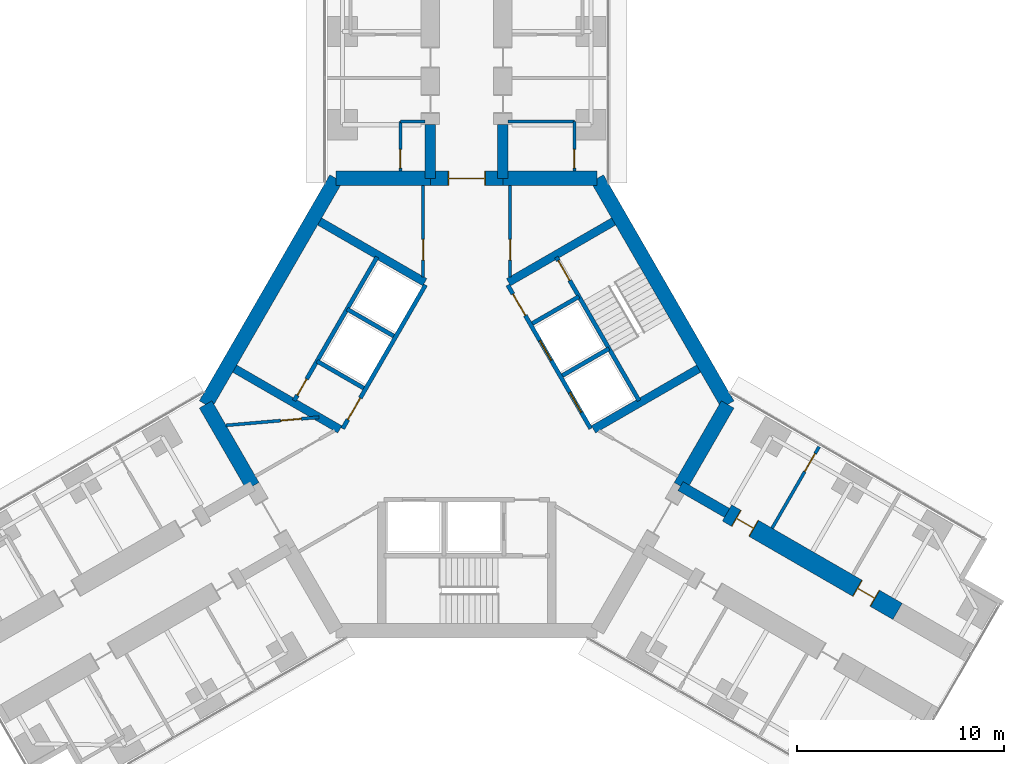
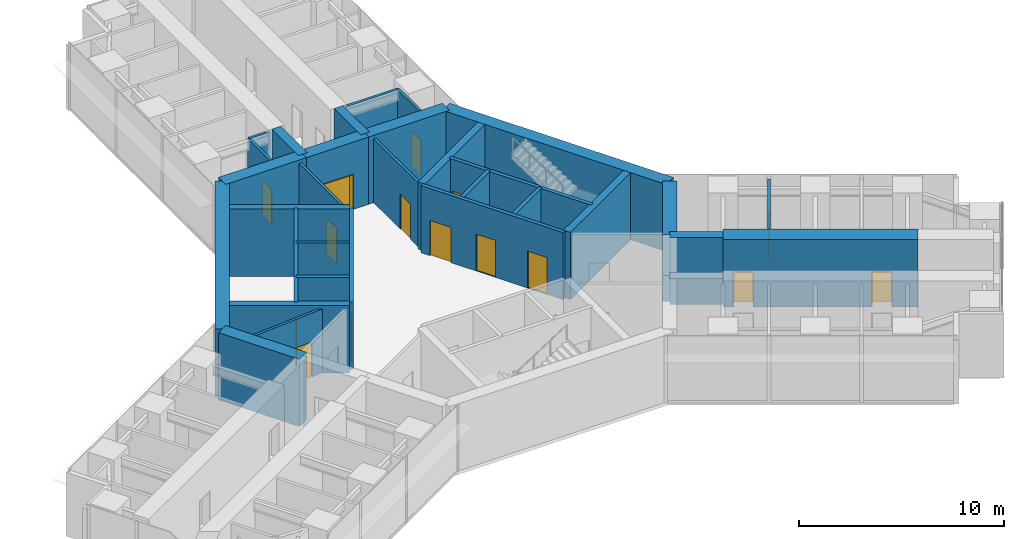
# One storey, part 21 of 24: 31 walls, 15 doors, 15 openings.
"""IFC4 building model written with IfcOpenShell, lengths in metres."""

import ifcopenshell
import ifcopenshell.guid

model = None  # the IFC model being written
_history = None  # IfcOwnerHistory: only IFC2X3 demands one
_inside = {}  # id of a spatial element -> (the spatial element, [elements in it])
_under = {}  # id of a project, library or spatial element -> (it, [spatial elements below it])
_declared = {}  # id of a project -> (the project, [libraries it declares])
_typed = {}  # id of a type object -> (the type object, [elements of that type])
_made_of = {}  # id of a material, layer set ... -> (it, [elements and type objects made of it])


def new_model(schema):
    """Start an empty IFC model of exactly this schema.

    Asked for "IFC4X3", IfcOpenShell would pick the latest addendum, in which some entities
    have other attributes; the version numbers below select the first issue.
    IFC2X3 requires an IfcOwnerHistory on every rooted entity: one is made here for all.
    """
    global model, _history
    if schema == "IFC4X3":
        model = ifcopenshell.file(schema_version=(4, 3, 0, 0))
    else:
        model = ifcopenshell.file(schema=schema)
    _inside.clear()
    _under.clear()
    _declared.clear()
    _typed.clear()
    _made_of.clear()
    _history = None
    if model.schema == "IFC2X3":
        org = make("IfcOrganization", Name="unknown")
        user = make(
            "IfcPersonAndOrganization",
            ThePerson=make("IfcPerson", FamilyName="unknown"),
            TheOrganization=org,
        )
        app = make(
            "IfcApplication",
            ApplicationDeveloper=org,
            Version="unknown",
            ApplicationFullName="unknown",
            ApplicationIdentifier="unknown",
        )
        _history = make(
            "IfcOwnerHistory",
            OwningUser=user,
            OwningApplication=app,
            ChangeAction="ADDED",
            CreationDate=0,
        )
    return model


def make(cls, **values):
    """One entity of the class cls with the attributes given. An attribute that is None is left unset."""
    return model.create_entity(
        cls, **{name: value for name, value in values.items() if value is not None}
    )


def rooted(cls, **values):
    """An entity with a GlobalId (a new one), such as an element, a storey or a relation."""
    return make(cls, GlobalId=ifcopenshell.guid.new(), OwnerHistory=_history, **values)


def si_unit(unit_type, name, prefix=None):
    """IfcSIUnit, for example si_unit("LENGTHUNIT", "METRE", prefix="MILLI")."""
    return make("IfcSIUnit", UnitType=unit_type, Prefix=prefix, Name=name)


def assignment(units):
    """IfcUnitAssignment: the units of a project."""
    return None if units is None else make("IfcUnitAssignment", Units=units)


def point(xyz):
    """IfcCartesianPoint."""
    return None if xyz is None else make("IfcCartesianPoint", Coordinates=xyz)


def direction(xyz):
    """IfcDirection."""
    return None if xyz is None else make("IfcDirection", DirectionRatios=xyz)


def frame(location, z_axis=None, x_axis=None):
    """IfcAxis2Placement3D, a coordinate frame: its origin and axes. An axis left out is left unset."""
    return make(
        "IfcAxis2Placement3D",
        Location=point(location),
        Axis=direction(z_axis),
        RefDirection=direction(x_axis),
    )


def frame_2d(location, x_axis=None):
    """IfcAxis2Placement2D, a coordinate frame in the plane: its origin and x axis."""
    return make(
        "IfcAxis2Placement2D", Location=point(location), RefDirection=direction(x_axis)
    )


def origin():
    """The frame at (0, 0, 0) with its axes left unset."""
    return frame((0.0, 0.0, 0.0))


def place(relative_to, where):
    """IfcLocalPlacement: puts the frame where relative to a parent placement (None: the world)."""
    return make(
        "IfcLocalPlacement", PlacementRelTo=relative_to, RelativePlacement=where
    )


def context(
    kind, dimensions, precision=None, world=None, true_north=None, identifier=None
):
    """IfcGeometricRepresentationContext, for example the 3D "Model" context."""
    return make(
        "IfcGeometricRepresentationContext",
        ContextIdentifier=identifier,
        ContextType=kind,
        CoordinateSpaceDimension=dimensions,
        Precision=precision,
        WorldCoordinateSystem=world,
        TrueNorth=true_north,
    )


def subcontext(parent, identifier, kind, view, scale=None):
    """IfcGeometricRepresentationSubContext, for example "Body" below "Model"."""
    return make(
        "IfcGeometricRepresentationSubContext",
        ContextIdentifier=identifier,
        ContextType=kind,
        ParentContext=parent,
        TargetScale=scale,
        TargetView=view,
    )


def project(units=None, contexts=None):
    """IfcProject with its units and contexts."""
    return rooted(
        "IfcProject",
        Name="project",
        RepresentationContexts=contexts,
        UnitsInContext=assignment(units),
    )


def spatial(cls, under=None, at=None, **own):
    """A site, building, storey or space (cls), placed at a placement, below another one or the project."""
    s = rooted(cls, ObjectPlacement=at, **own)
    if under is not None:
        _under.setdefault(under.id(), (under, []))[1].append(s)
    return s


def profile(cls, at=None, kind="AREA", **sizes):
    """A parametric profile (cls). Its sizes go by their IFC names, for example OverallWidth=200.0."""
    return make(cls, ProfileType=kind, Position=at, **sizes)


def rectangle(**sizes):
    """IfcRectangleProfileDef."""
    return profile("IfcRectangleProfileDef", **sizes)


def extrude(swept, where, along, depth):
    """IfcExtrudedAreaSolid: the profile swept, set in the frame where, extruded along a direction by depth."""
    return make(
        "IfcExtrudedAreaSolid",
        SweptArea=swept,
        Position=where,
        ExtrudedDirection=direction(along),
        Depth=depth,
    )


def shape(context_of_items, identifier, shape_type, items):
    """IfcShapeRepresentation: the items that make up one representation, for example the "Body"."""
    return make(
        "IfcShapeRepresentation",
        ContextOfItems=context_of_items,
        RepresentationIdentifier=identifier,
        RepresentationType=shape_type,
        Items=items,
    )


def material(Name=None, Category=None):
    """IfcMaterial."""
    return make("IfcMaterial", Name=Name, Category=Category)


def layer(
    of_material, thickness, ventilated=None, Name=None, Category=None, Priority=None
):
    """IfcMaterialLayer: one layer of a wall or slab, of a material (None: an air gap)."""
    return make(
        "IfcMaterialLayer",
        Material=of_material,
        LayerThickness=thickness,
        IsVentilated=ventilated,
        Name=Name,
        Category=Category,
        Priority=Priority,
    )


def layer_set(layers, Name=None):
    """IfcMaterialLayerSet."""
    return make("IfcMaterialLayerSet", MaterialLayers=layers, LayerSetName=Name)


def made_of(thing, what):
    """Note that an element or type object is made of a material, layer set ...; save() writes the relation."""
    if what is not None:
        _made_of.setdefault(what.id(), (what, []))[1].append(thing)
    return thing


def type_object(cls, material=None, **own):
    """A type object (cls), such as IfcWallType, which elements share."""
    return made_of(rooted(cls, **own), material)


def element(
    cls,
    number,
    at=None,
    inside=None,
    cuts=None,
    type_object=None,
    material=None,
    context=None,
    identifier="Body",
    shape_type=None,
    held_by="IfcProductDefinitionShape",
    body=None,
    shapes=None,
    **own,
):
    """One element of the class cls, such as IfcWall. Its Tag is "e" and its number.

    at: its placement. inside: the storey or other place that contains it. cuts: it is an
    opening in that element (IfcRelVoidsElement). A single representation is given by context,
    identifier, shape_type and body (its items); several are given by shapes. held_by: the class
    of the entity that holds the representations. save() writes the other relations.
    """
    e = rooted(cls, Tag="e%d" % number, ObjectPlacement=at, **own)
    if body is not None:
        shapes = [shape(context, identifier, shape_type, body)]
    if shapes is not None:
        e.Representation = make(held_by, Representations=shapes)
    if inside is not None:
        _inside.setdefault(inside.id(), (inside, []))[1].append(e)
    if cuts is not None:
        rooted(
            "IfcRelVoidsElement", RelatingBuildingElement=cuts, RelatedOpeningElement=e
        )
    if type_object is not None:
        _typed.setdefault(type_object.id(), (type_object, []))[1].append(e)
    return made_of(e, material)


def fill(opening, filler):
    """IfcRelFillsElement: the door or window that sits in an opening."""
    return rooted(
        "IfcRelFillsElement",
        RelatingOpeningElement=opening,
        RelatedBuildingElement=filler,
    )


def aggregate(whole, parts):
    """IfcRelAggregates: a whole, such as a stair, and the parts it consists of."""
    return rooted("IfcRelAggregates", RelatingObject=whole, RelatedObjects=parts)


def save(model, path):
    """Write the relations noted so far, then the file.

    IfcRelAggregates (storeys below a building ...), IfcRelContainedInSpatialStructure (elements
    in a storey), IfcRelDefinesByType, IfcRelAssociatesMaterial and IfcRelDeclares: one each for
    every whole, place, type object, material and project.
    """
    for whole, parts in _under.values():
        aggregate(whole, parts)
    for where, things in _inside.values():
        rooted(
            "IfcRelContainedInSpatialStructure",
            RelatedElements=things,
            RelatingStructure=where,
        )
    for kind, things in _typed.values():
        rooted("IfcRelDefinesByType", RelatedObjects=things, RelatingType=kind)
    for what, things in _made_of.values():
        rooted("IfcRelAssociatesMaterial", RelatedObjects=things, RelatingMaterial=what)
    for by, libraries in _declared.values():
        rooted("IfcRelDeclares", RelatingContext=by, RelatedDefinitions=libraries)
    model.write(path)


model = new_model("IFC4")

# Units and contexts
model_context = context("Model", 3, precision=1e-05, world=origin(), true_north=direction((0.0, 1.0)))
body_context = subcontext(model_context, "Body", "Model", "MODEL_VIEW")
ifc_project = project(units=[si_unit("LENGTHUNIT", "METRE"), si_unit("AREAUNIT", "SQUARE_METRE"), si_unit("VOLUMEUNIT", "CUBIC_METRE"), si_unit("PLANEANGLEUNIT", "RADIAN"), si_unit("MASSUNIT", "GRAM", prefix="KILO")], contexts=[model_context])

# Site, building, storey
site_placement = place(None, origin())
site = spatial("IfcSite", under=ifc_project, at=site_placement, CompositionType="ELEMENT")
building_placement = place(site_placement, origin())
building = spatial("IfcBuilding", under=site, at=building_placement, Name="Upepo Twin Towers", CompositionType="ELEMENT")
storey_placement = place(building_placement, frame((0.0, 0.0, 68.5)))
storey = spatial("IfcBuildingStorey", under=building, at=storey_placement, Name="L16", CompositionType="ELEMENT", Elevation=68.5)

# Walls
ifc_material_1 = material(Name="Concrete C60/75", Category="concrete")
ifc_layer_1 = layer(ifc_material_1, 0.5)
ifc_layer_set_1 = layer_set([ifc_layer_1], Name="Concrete C60/75")
wall_type_1 = type_object("IfcWallType", Name="Buttress wall 500 RC", PredefinedType="SHEAR", material=ifc_layer_set_1)
for number, where, z_axis, x_axis, name in (
    (1, (56.75, -7.091552734375, 0.0), (0.0, 0.0, 1.0), (0.0, 1.0, 0.0), "T2 wing A buttress wall L"),
    (2, (60.25, -7.091552734375, 0.0), (0.0, 0.0, 1.0), (0.0, 1.0, 0.0), "T2 wing A buttress wall R"),
):
    element("IfcWall", number, at=place(storey_placement, frame(where, z_axis=z_axis, x_axis=x_axis)), inside=storey, type_object=wall_type_1, Name=name, PredefinedType="SHEAR", context=body_context, shape_type="SweptSolid", body=[
        extrude(rectangle(XDim=2.591552734375, YDim=0.5, at=frame_2d((1.2958984375, 0.0))), origin(), (0.0, 0.0, 1.0), 4.0),
    ])
wall_1_placement = place(storey_placement, frame((68.82177734375, -21.938720703125, 0.0), z_axis=(0.0, 0.0, 1.0), x_axis=(0.866072649678, -0.499918158782, 0.0)))
element("IfcWall", 3, at=wall_1_placement, inside=storey, type_object=wall_type_1, Name="T2 wing C buttress wall L", PredefinedType="SHEAR", context=body_context, shape_type="SweptSolid", body=[
    extrude(rectangle(XDim=2.591796875, YDim=0.5, at=frame_2d((1.2958984375, 0.0))), origin(), (0.0, 0.0, 1.0), 4.0),
])

# Wall, openings, doors
ifc_material_2 = material(Name="Concrete C60/75", Category="concrete")
ifc_layer_2 = layer(ifc_material_2, 0.89990234375)
ifc_layer_set_2 = layer_set([ifc_layer_2], Name="Concrete C60/75")
wall_type_2 = type_object("IfcWallType", Name="Buttress wall 900 RC", PredefinedType="SHEAR", material=ifc_layer_set_2)
wall_2_placement = place(storey_placement, frame((71.06640625, -23.234375, 0.0), z_axis=(0.0, 0.0, 1.0), x_axis=(0.86602681393, -0.499997557548, 0.0)))
wall_2 = element("IfcWall", 4, at=wall_2_placement, inside=storey, type_object=wall_type_2, Name="T2 wing C buttress wall L part 2", PredefinedType="SHEAR", context=body_context, shape_type="SweptSolid", body=[
    extrude(rectangle(XDim=9.5, YDim=0.89990234375, at=frame_2d((4.75, 0.0))), origin(), (0.0, 0.0, 1.0), 4.0),
])
opening_1_placement = place(wall_2_placement, frame((0.5, 0.0, 0.0)))
opening_1 = element("IfcOpeningElement", 5, at=opening_1_placement, cuts=wall_2, Name="Opening D1", PredefinedType="OPENING", context=body_context, shape_type="SweptSolid", body=[
    extrude(rectangle(XDim=1.0, YDim=2.10009765625, at=frame_2d((0.5, 1.050048828125))), frame((0.0, 0.4599609375, 0.0), z_axis=(0.0, -1.0, 0.0), x_axis=(1.0, 0.0, 0.0)), (0.0, 0.0, 1.0), 0.919921875),
])
opening_2_placement = place(wall_2_placement, frame((7.25, 0.0, 0.0)))
opening_2 = element("IfcOpeningElement", 6, at=opening_2_placement, cuts=wall_2, Name="Opening D1", PredefinedType="OPENING", context=body_context, shape_type="SweptSolid", body=[
    extrude(rectangle(XDim=1.0, YDim=2.10009765625, at=frame_2d((0.5, 1.050048828125))), frame((0.0, 0.4599609375, 0.0), z_axis=(0.0, -1.0, 0.0), x_axis=(1.0, 0.0, 0.0)), (0.0, 0.0, 1.0), 0.919921875),
])
ifc_material_3 = material(Name="Timber doorset", Category="wood")
door_type_1 = type_object("IfcDoorType", Name="Room door 1000 FD30", OperationType="SINGLE_SWING_LEFT", PredefinedType="DOOR", material=ifc_material_3)
door_1_placement = place(opening_1_placement, origin())
door_1 = element("IfcDoor", 7, at=door_1_placement, inside=storey, type_object=door_type_1, Name="T2 L16 seminar room door", OperationType="SINGLE_SWING_LEFT", OverallHeight=2.10009765625, OverallWidth=1.0, PredefinedType="DOOR", context=body_context, shape_type="SweptSolid", body=[
    extrude(rectangle(XDim=0.92, YDim=2.06009765625, at=frame_2d((0.5, 1.030029296875))), frame((0.0, 0.02490234375, 0.0), z_axis=(0.0, -1.0, 0.0), x_axis=(1.0, 0.0, 0.0)), (0.0, 0.0, 1.0), 0.050048828125),
    extrude(rectangle(XDim=0.04, YDim=2.10009765625, at=frame_2d((0.02001953125, 1.050048828125))), frame((0.0, 0.44970703125, 0.0), z_axis=(0.0, -1.0, 0.0), x_axis=(1.0, 0.0, 0.0)), (0.0, 0.0, 1.0), 0.8994140625),
    extrude(rectangle(XDim=0.04, YDim=2.10009765625, at=frame_2d((0.97998046875, 1.050048828125))), frame((0.0, 0.44970703125, 0.0), z_axis=(0.0, -1.0, 0.0), x_axis=(1.0, 0.0, 0.0)), (0.0, 0.0, 1.0), 0.8994140625),
    extrude(rectangle(XDim=0.92, YDim=0.04, at=frame_2d((0.5, 2.080078125))), frame((0.0, 0.44970703125, 0.0), z_axis=(0.0, -1.0, 0.0), x_axis=(1.0, 0.0, 0.0)), (0.0, 0.0, 1.0), 0.8994140625),
])
fill(opening_1, door_1)
door_2_placement = place(opening_2_placement, origin())
door_2 = element("IfcDoor", 8, at=door_2_placement, inside=storey, type_object=door_type_1, Name="T2 L16 tutorial room door", OperationType="SINGLE_SWING_RIGHT", OverallHeight=2.10009765625, OverallWidth=1.0, PredefinedType="DOOR", context=body_context, shape_type="SweptSolid", body=[
    extrude(rectangle(XDim=0.92, YDim=2.06009765625, at=frame_2d((0.5, 1.030029296875))), frame((0.0, 0.02490234375, 0.0), z_axis=(0.0, -1.0, 0.0), x_axis=(1.0, 0.0, 0.0)), (0.0, 0.0, 1.0), 0.050048828125),
    extrude(rectangle(XDim=0.04, YDim=2.10009765625, at=frame_2d((0.02001953125, 1.050048828125))), frame((0.0, 0.44970703125, 0.0), z_axis=(0.0, -1.0, 0.0), x_axis=(1.0, 0.0, 0.0)), (0.0, 0.0, 1.0), 0.8994140625),
    extrude(rectangle(XDim=0.04, YDim=2.10009765625, at=frame_2d((0.97998046875, 1.050048828125))), frame((0.0, 0.44970703125, 0.0), z_axis=(0.0, -1.0, 0.0), x_axis=(1.0, 0.0, 0.0)), (0.0, 0.0, 1.0), 0.8994140625),
    extrude(rectangle(XDim=0.92, YDim=0.04, at=frame_2d((0.5, 2.080078125))), frame((0.0, 0.44970703125, 0.0), z_axis=(0.0, -1.0, 0.0), x_axis=(1.0, 0.0, 0.0)), (0.0, 0.0, 1.0), 0.8994140625),
])
fill(opening_2, door_2)

# Wall
ifc_material_4 = material(Name="Concrete C60/75", Category="concrete")
ifc_layer_3 = layer(ifc_material_4, 0.699951171875)
ifc_layer_set_3 = layer_set([ifc_layer_3], Name="Concrete C60/75")
wall_type_3 = type_object("IfcWallType", Name="Core wall 700 RC", PredefinedType="SHEAR", material=ifc_layer_set_3)
wall_3_placement = place(storey_placement, frame((64.7978515625, -7.091552734375, 0.0), z_axis=(0.0, 0.0, 1.0), x_axis=(-1.0, 0.0, 0.0)))
element("IfcWall", 9, at=wall_3_placement, inside=storey, type_object=wall_type_3, Name="T2 core wall 000 R", PredefinedType="SHEAR", context=body_context, shape_type="SweptSolid", body=[
    extrude(rectangle(XDim=4.5478515625, YDim=0.699951171875, at=frame_2d((2.27392578125, 0.0))), origin(), (0.0, 0.0, 1.0), 4.0),
])

# Wall, opening, door
wall_4_placement = place(storey_placement, frame((60.25, -7.091552734375, 0.0), z_axis=(0.0, 0.0, 1.0), x_axis=(-1.0, 0.0, 0.0)))
wall_4 = element("IfcWall", 10, at=wall_4_placement, inside=storey, type_object=wall_type_3, Name="T2 core wall 000", PredefinedType="SHEAR", context=body_context, shape_type="SweptSolid", body=[
    extrude(rectangle(XDim=3.5, YDim=0.699951171875, at=frame_2d((1.75, 0.0))), origin(), (0.0, 0.0, 1.0), 4.0),
])
opening_3_placement = place(wall_4_placement, frame((0.85009765625, 0.0, 0.0)))
opening_3 = element("IfcOpeningElement", 11, at=opening_3_placement, cuts=wall_4, Name="Opening D2", PredefinedType="OPENING", context=body_context, shape_type="SweptSolid", body=[
    extrude(rectangle(XDim=1.800048828125, YDim=2.10009765625, at=frame_2d((0.89990234375, 1.050048828125))), frame((0.0, 0.35986328125, 0.0), z_axis=(0.0, -1.0, 0.0), x_axis=(1.0, 0.0, 0.0)), (0.0, 0.0, 1.0), 0.719970703125),
])
ifc_material_5 = material(Name="Timber doorset", Category="wood")
door_type_2 = type_object("IfcDoorType", Name="Corridor double door 1800 FD60", OperationType="DOUBLE_DOOR_DOUBLE_SWING", PredefinedType="DOOR", material=ifc_material_5)
door_3_placement = place(opening_3_placement, origin())
door_3 = element("IfcDoor", 12, at=door_3_placement, inside=storey, type_object=door_type_2, Name="T2 L16 wing A corridor door", OperationType="DOUBLE_DOOR_DOUBLE_SWING", OverallHeight=2.10009765625, OverallWidth=1.800048828125, PredefinedType="DOOR", context=body_context, shape_type="SweptSolid", body=[
    extrude(rectangle(XDim=1.720048828125, YDim=2.06009765625, at=frame_2d((0.89990234375, 1.030029296875))), frame((0.0, 0.02490234375, 0.0), z_axis=(0.0, -1.0, 0.0), x_axis=(1.0, 0.0, 0.0)), (0.0, 0.0, 1.0), 0.050048828125),
    extrude(rectangle(XDim=0.04, YDim=2.10009765625, at=frame_2d((0.02001953125, 1.050048828125))), frame((0.0, 0.349609375, 0.0), z_axis=(0.0, -1.0, 0.0), x_axis=(1.0, 0.0, 0.0)), (0.0, 0.0, 1.0), 0.699462890625),
    extrude(rectangle(XDim=0.04, YDim=2.10009765625, at=frame_2d((1.780029296875, 1.050048828125))), frame((0.0, 0.349609375, 0.0), z_axis=(0.0, -1.0, 0.0), x_axis=(1.0, 0.0, 0.0)), (0.0, 0.0, 1.0), 0.699462890625),
    extrude(rectangle(XDim=1.720048828125, YDim=0.04, at=frame_2d((0.89990234375, 2.080078125))), frame((0.0, 0.349609375, 0.0), z_axis=(0.0, -1.0, 0.0), x_axis=(1.0, 0.0, 0.0)), (0.0, 0.0, 1.0), 0.699462890625),
])
fill(opening_3, door_3)

# Walls
wall_5_placement = place(storey_placement, frame((56.75, -7.091552734375, 0.0), z_axis=(0.0, 0.0, 1.0), x_axis=(-1.0, 0.0, 0.0)))
element("IfcWall", 13, at=wall_5_placement, inside=storey, type_object=wall_type_3, Name="T2 core wall 000 L", PredefinedType="SHEAR", context=body_context, shape_type="SweptSolid", body=[
    extrude(rectangle(XDim=4.5478515625, YDim=0.699951171875, at=frame_2d((2.27392578125, 0.0))), origin(), (0.0, 0.0, 1.0), 4.0),
])
wall_6_placement = place(storey_placement, frame((52.2021484375, -7.091552734375, 0.0), z_axis=(0.0, 0.0, 1.0), x_axis=(-0.500005998175, -0.866021940709, 0.0)))
element("IfcWall", 14, at=wall_6_placement, inside=storey, type_object=wall_type_3, Name="T2 core wall 060", PredefinedType="SHEAR", context=body_context, shape_type="SweptSolid", body=[
    extrude(rectangle(XDim=12.595947265625, YDim=0.699951171875, at=frame_2d((6.2978515625, 0.0))), origin(), (0.0, 0.0, 1.0), 4.0),
])
for number, where, z_axis, x_axis, name in (
    (15, (45.904052734375, -18.0, 0.0), (0.0, 0.0, 1.0), (0.500024481964, -0.866011268655, 0.0), "T2 core wall 120 R"),
    (16, (68.82177734375, -21.938720703125, 0.0), (0.0, 0.0, 1.0), (0.500024481964, 0.866011268655, 0.0), "T2 core wall 240 L"),
):
    element("IfcWall", number, at=place(storey_placement, frame(where, z_axis=z_axis, x_axis=x_axis)), inside=storey, type_object=wall_type_3, Name=name, PredefinedType="SHEAR", context=body_context, shape_type="SweptSolid", body=[
        extrude(rectangle(XDim=4.548095703125, YDim=0.699951171875, at=frame_2d((2.27392578125, 0.0))), origin(), (0.0, 0.0, 1.0), 4.0),
    ])
wall_7_placement = place(storey_placement, frame((71.095947265625, -18.0, 0.0), z_axis=(0.0, 0.0, 1.0), x_axis=(-0.500005998175, 0.866021940709, 0.0)))
element("IfcWall", 17, at=wall_7_placement, inside=storey, type_object=wall_type_3, Name="T2 core wall 300", PredefinedType="SHEAR", context=body_context, shape_type="SweptSolid", body=[
    extrude(rectangle(XDim=12.595947265625, YDim=0.699951171875, at=frame_2d((6.2978515625, 0.0))), origin(), (0.0, 0.0, 1.0), 4.0),
])

# Wall, opening, door
ifc_material_6 = material(Name="Concrete C40/50", Category="concrete")
ifc_layer_4 = layer(ifc_material_6, 0.199951171875)
ifc_layer_set_4 = layer_set([ifc_layer_4], Name="Concrete C40/50")
wall_type_4 = type_object("IfcWallType", Name="Shaft wall 200 RC", PredefinedType="SHEAR", material=ifc_layer_set_4)
wall_8_placement = place(storey_placement, frame((56.516357421875, -12.23583984375, 0.0), z_axis=(0.0, 0.0, 1.0), x_axis=(-0.49999894854, -0.866026010844, 0.0)))
wall_8 = element("IfcWall", 18, at=wall_8_placement, inside=storey, type_object=wall_type_4, Name="T2 core W60 front wall", PredefinedType="SHEAR", context=body_context, shape_type="SweptSolid", body=[
    extrude(rectangle(XDim=8.0, YDim=0.199951171875, at=frame_2d((4.0, 0.0))), origin(), (0.0, 0.0, 1.0), 4.0),
])
opening_4_placement = place(wall_8_placement, frame((6.300048828125, 0.0, 0.0)))
opening_4 = element("IfcOpeningElement", 19, at=opening_4_placement, cuts=wall_8, Name="Opening D4", PredefinedType="OPENING", context=body_context, shape_type="SweptSolid", body=[
    extrude(rectangle(XDim=1.199951171875, YDim=2.10009765625, at=frame_2d((0.60009765625, 1.050048828125))), frame((0.0, 0.10986328125, 0.0), z_axis=(0.0, -1.0, 0.0), x_axis=(1.0, 0.0, 0.0)), (0.0, 0.0, 1.0), 0.219970703125),
])
ifc_material_7 = material(Name="Timber doorset", Category="wood")
door_type_3 = type_object("IfcDoorType", Name="Lobby door 1200 FD60", OperationType="SINGLE_SWING_LEFT", PredefinedType="DOOR", material=ifc_material_7)
door_4_placement = place(opening_4_placement, origin())
door_4 = element("IfcDoor", 20, at=door_4_placement, inside=storey, type_object=door_type_3, Name="T2 L16 W60 lobby door", OperationType="SINGLE_SWING_RIGHT", OverallHeight=2.10009765625, OverallWidth=1.199951171875, PredefinedType="DOOR", context=body_context, shape_type="SweptSolid", body=[
    extrude(rectangle(XDim=1.199951171875, YDim=2.10009765625, at=frame_2d((0.60009765625, 1.050048828125))), frame((0.0, 0.02490234375, 0.0), z_axis=(0.0, -1.0, 0.0), x_axis=(1.0, 0.0, 0.0)), (0.0, 0.0, 1.0), 0.050048828125),
])
fill(opening_4, door_4)

# Walls
for number, where, z_axis, x_axis, name in (
    (21, (54.979736328125, -14.697265625, 0.0), (0.0, 0.0, 1.0), (-0.866062058628, 0.499936506574, 0.0), "T2 core W60 shaft divider"),
    (22, (53.52978515625, -17.208740234375, 0.0), (0.0, 0.0, 1.0), (-0.866062058628, 0.499936506574, 0.0), "T2 core W60 lobby wall"),
):
    element("IfcWall", number, at=place(storey_placement, frame(where, z_axis=z_axis, x_axis=x_axis)), inside=storey, type_object=wall_type_4, Name=name, PredefinedType="SHEAR", context=body_context, shape_type="SweptSolid", body=[
        extrude(rectangle(XDim=2.599853515625, YDim=0.199951171875, at=frame_2d((1.2998046875, 0.0))), origin(), (0.0, 0.0, 1.0), 4.0),
    ])

# Wall, opening, door
wall_9_placement = place(storey_placement, frame((54.177978515625, -10.885986328125, 0.0), z_axis=(0.0, 0.0, 1.0), x_axis=(-0.49999894854, -0.866026010844, 0.0)))
wall_9 = element("IfcWall", 23, at=wall_9_placement, inside=storey, type_object=wall_type_4, Name="T2 core W60 stair wall", PredefinedType="SHEAR", context=body_context, shape_type="SweptSolid", body=[
    extrude(rectangle(XDim=8.0, YDim=0.199951171875, at=frame_2d((4.0, 0.0))), origin(), (0.0, 0.0, 1.0), 4.0),
])
opening_5_placement = place(wall_9_placement, frame((6.800048828125, 0.0, 0.0)))
opening_5 = element("IfcOpeningElement", 24, at=opening_5_placement, cuts=wall_9, Name="Opening D9", PredefinedType="OPENING", context=body_context, shape_type="SweptSolid", body=[
    extrude(rectangle(XDim=0.89990234375, YDim=2.10009765625, at=frame_2d((0.449951171875, 1.050048828125))), frame((0.0, 0.10986328125, 0.0), z_axis=(0.0, -1.0, 0.0), x_axis=(1.0, 0.0, 0.0)), (0.0, 0.0, 1.0), 0.219970703125),
])
ifc_material_8 = material(Name="Timber doorset", Category="wood")
door_type_4 = type_object("IfcDoorType", Name="Riser door 900 FD60", OperationType="SINGLE_SWING_LEFT", PredefinedType="DOOR", material=ifc_material_8)
door_5_placement = place(opening_5_placement, origin())
door_5 = element("IfcDoor", 25, at=door_5_placement, inside=storey, type_object=door_type_4, Name="T2 L16 riser door", OperationType="SINGLE_SWING_RIGHT", OverallHeight=2.10009765625, OverallWidth=0.89990234375, PredefinedType="DOOR", context=body_context, shape_type="SweptSolid", body=[
    extrude(rectangle(XDim=0.89990234375, YDim=2.10009765625, at=frame_2d((0.449951171875, 1.050048828125))), frame((0.0, 0.02490234375, 0.0), z_axis=(0.0, -1.0, 0.0), x_axis=(1.0, 0.0, 0.0)), (0.0, 0.0, 1.0), 0.050048828125),
])
fill(opening_5, door_5)

# Wall, openings, doors
wall_10_placement = place(storey_placement, frame((64.483642578125, -19.1640625, 0.0), z_axis=(0.0, 0.0, 1.0), x_axis=(-0.49999894854, 0.866026010844, 0.0)))
wall_10 = element("IfcWall", 26, at=wall_10_placement, inside=storey, type_object=wall_type_4, Name="T2 core W300 front wall", PredefinedType="SHEAR", context=body_context, shape_type="SweptSolid", body=[
    extrude(rectangle(XDim=8.0, YDim=0.199951171875, at=frame_2d((4.0, 0.0))), origin(), (0.0, 0.0, 1.0), 4.0),
])
opening_6_placement = place(wall_10_placement, frame((6.300048828125, 0.0, 0.0)))
opening_6 = element("IfcOpeningElement", 27, at=opening_6_placement, cuts=wall_10, Name="Opening D4", PredefinedType="OPENING", context=body_context, shape_type="SweptSolid", body=[
    extrude(rectangle(XDim=1.199951171875, YDim=2.10009765625, at=frame_2d((0.60009765625, 1.050048828125))), frame((0.0, 0.10986328125, 0.0), z_axis=(0.0, -1.0, 0.0), x_axis=(1.0, 0.0, 0.0)), (0.0, 0.0, 1.0), 0.219970703125),
])
opening_7_placement = place(wall_10_placement, frame((0.89990234375, 0.0, 0.0)))
opening_7 = element("IfcOpeningElement", 28, at=opening_7_placement, cuts=wall_10, Name="Opening LD1", PredefinedType="OPENING", context=body_context, shape_type="SweptSolid", body=[
    extrude(rectangle(XDim=1.10009765625, YDim=2.199951171875, at=frame_2d((0.550048828125, 1.10009765625))), frame((0.0, 0.10986328125, 0.0), z_axis=(0.0, -1.0, 0.0), x_axis=(1.0, 0.0, 0.0)), (0.0, 0.0, 1.0), 0.219970703125),
])
opening_8_placement = place(wall_10_placement, frame((3.800048828125, 0.0, 0.0)))
opening_8 = element("IfcOpeningElement", 29, at=opening_8_placement, cuts=wall_10, Name="Opening LD1", PredefinedType="OPENING", context=body_context, shape_type="SweptSolid", body=[
    extrude(rectangle(XDim=1.10009765625, YDim=2.199951171875, at=frame_2d((0.550048828125, 1.10009765625))), frame((0.0, 0.10986328125, 0.0), z_axis=(0.0, -1.0, 0.0), x_axis=(1.0, 0.0, 0.0)), (0.0, 0.0, 1.0), 0.219970703125),
])
ifc_material_9 = material(Name="Steel doorset", Category="steel")
door_type_5 = type_object("IfcDoorType", Name="Lift landing door 1100", OperationType="DOUBLE_DOOR_SLIDING", PredefinedType="DOOR", material=ifc_material_9)
door_6_placement = place(opening_7_placement, origin())
door_6 = element("IfcDoor", 30, at=door_6_placement, inside=storey, type_object=door_type_5, Name="T2 L16 lift LL1 landing door", OperationType="DOUBLE_DOOR_SLIDING", OverallHeight=2.199951171875, OverallWidth=1.10009765625, PredefinedType="DOOR", context=body_context, shape_type="SweptSolid", body=[
    extrude(rectangle(XDim=1.10009765625, YDim=2.199951171875, at=frame_2d((0.550048828125, 1.10009765625))), frame((0.0, 0.02490234375, 0.0), z_axis=(0.0, -1.0, 0.0), x_axis=(1.0, 0.0, 0.0)), (0.0, 0.0, 1.0), 0.050048828125),
])
fill(opening_7, door_6)
door_7_placement = place(opening_8_placement, origin())
door_7 = element("IfcDoor", 31, at=door_7_placement, inside=storey, type_object=door_type_5, Name="T2 L16 lift LL2 landing door", OperationType="DOUBLE_DOOR_SLIDING", OverallHeight=2.199951171875, OverallWidth=1.10009765625, PredefinedType="DOOR", context=body_context, shape_type="SweptSolid", body=[
    extrude(rectangle(XDim=1.10009765625, YDim=2.199951171875, at=frame_2d((0.550048828125, 1.10009765625))), frame((0.0, 0.02490234375, 0.0), z_axis=(0.0, -1.0, 0.0), x_axis=(1.0, 0.0, 0.0)), (0.0, 0.0, 1.0), 0.050048828125),
])
fill(opening_8, door_7)
door_8_placement = place(opening_6_placement, origin())
door_8 = element("IfcDoor", 32, at=door_8_placement, inside=storey, type_object=door_type_3, Name="T2 L16 W300 lobby door", OperationType="SINGLE_SWING_RIGHT", OverallHeight=2.10009765625, OverallWidth=1.199951171875, PredefinedType="DOOR", context=body_context, shape_type="SweptSolid", body=[
    extrude(rectangle(XDim=1.199951171875, YDim=2.10009765625, at=frame_2d((0.60009765625, 1.050048828125))), frame((0.0, 0.02490234375, 0.0), z_axis=(0.0, -1.0, 0.0), x_axis=(1.0, 0.0, 0.0)), (0.0, 0.0, 1.0), 0.050048828125),
])
fill(opening_6, door_8)

# Walls
wall_11_placement = place(storey_placement, frame((63.120361328125, -16.6025390625, 0.0), z_axis=(0.0, 0.0, 1.0), x_axis=(0.866062058628, 0.499936506574, 0.0)))
element("IfcWall", 33, at=wall_11_placement, inside=storey, type_object=wall_type_4, Name="T2 core W300 shaft divider", PredefinedType="SHEAR", context=body_context, shape_type="SweptSolid", body=[
    extrude(rectangle(XDim=2.599853515625, YDim=0.199951171875, at=frame_2d((1.2998046875, 0.0))), origin(), (0.0, 0.0, 1.0), 4.0),
])
wall_12_placement = place(storey_placement, frame((61.67041015625, -14.091064453125, 0.0), z_axis=(0.0, 0.0, 1.0), x_axis=(0.86603858612, 0.49997716683, 0.0)))
element("IfcWall", 34, at=wall_12_placement, inside=storey, type_object=wall_type_4, Name="T2 core W300 lobby wall", PredefinedType="SHEAR", context=body_context, shape_type="SweptSolid", body=[
    extrude(rectangle(XDim=2.599609375, YDim=0.199951171875, at=frame_2d((1.2998046875, 0.0))), origin(), (0.0, 0.0, 1.0), 4.0),
])

# Wall, opening, door
wall_13_placement = place(storey_placement, frame((66.822021484375, -17.814208984375, 0.0), z_axis=(0.0, 0.0, 1.0), x_axis=(-0.49999894854, 0.866026010844, 0.0)))
wall_13 = element("IfcWall", 35, at=wall_13_placement, inside=storey, type_object=wall_type_4, Name="T2 core W300 stair wall", PredefinedType="SHEAR", context=body_context, shape_type="SweptSolid", body=[
    extrude(rectangle(XDim=8.0, YDim=0.199951171875, at=frame_2d((4.0, 0.0))), origin(), (0.0, 0.0, 1.0), 4.0),
])
opening_9_placement = place(wall_13_placement, frame((6.699951171875, 0.0, 0.0)))
opening_9 = element("IfcOpeningElement", 36, at=opening_9_placement, cuts=wall_13, Name="Opening D3", PredefinedType="OPENING", context=body_context, shape_type="SweptSolid", body=[
    extrude(rectangle(XDim=1.10009765625, YDim=2.10009765625, at=frame_2d((0.550048828125, 1.050048828125))), frame((0.0, 0.10986328125, 0.0), z_axis=(0.0, -1.0, 0.0), x_axis=(1.0, 0.0, 0.0)), (0.0, 0.0, 1.0), 0.219970703125),
])
ifc_material_10 = material(Name="Timber doorset", Category="wood")
door_type_6 = type_object("IfcDoorType", Name="Stair door 1100 FD60", OperationType="SINGLE_SWING_LEFT", PredefinedType="DOOR", material=ifc_material_10)
door_9_placement = place(opening_9_placement, origin())
door_9 = element("IfcDoor", 37, at=door_9_placement, inside=storey, type_object=door_type_6, Name="T2 L16 stair door", OperationType="SINGLE_SWING_RIGHT", OverallHeight=2.10009765625, OverallWidth=1.10009765625, PredefinedType="DOOR", context=body_context, shape_type="SweptSolid", body=[
    extrude(rectangle(XDim=1.10009765625, YDim=2.10009765625, at=frame_2d((0.550048828125, 1.050048828125))), frame((0.0, 0.02490234375, 0.0), z_axis=(0.0, -1.0, 0.0), x_axis=(1.0, 0.0, 0.0)), (0.0, 0.0, 1.0), 0.050048828125),
])
fill(opening_9, door_9)

# Walls
ifc_material_11 = material(Name="Concrete C40/50", Category="concrete")
ifc_layer_5 = layer(ifc_material_11, 0.39990234375)
ifc_layer_set_5 = layer_set([ifc_layer_5], Name="Concrete C40/50")
wall_type_5 = type_object("IfcWallType", Name="Shaft wall 400 RC", PredefinedType="SHEAR", material=ifc_layer_set_5)
for number, where, z_axis, x_axis, name in (
    (38, (52.379638671875, -19.20068359375, 0.0), (0.0, 0.0, 1.0), (-0.866023886965, 0.500002627198, 0.0), "T2 core W60 side wall N"),
    (39, (56.479736328125, -12.099365234375, 0.0), (0.0, 0.0, 1.0), (-0.866023886965, 0.500002627198, 0.0), "T2 core W60 side wall S"),
    (40, (60.520263671875, -12.099365234375, 0.0), (0.0, 0.0, 1.0), (0.866023886965, 0.500002627198, 0.0), "T2 core W300 side wall N"),
    (41, (64.620361328125, -19.20068359375, 0.0), (0.0, 0.0, 1.0), (0.866023886965, 0.500002627198, 0.0), "T2 core W300 side wall S"),
):
    element("IfcWall", number, at=place(storey_placement, frame(where, z_axis=z_axis, x_axis=x_axis)), inside=storey, type_object=wall_type_5, Name=name, PredefinedType="SHEAR", context=body_context, shape_type="SweptSolid", body=[
        extrude(rectangle(XDim=5.8583984375, YDim=0.39990234375, at=frame_2d((2.92919921875, 0.0))), origin(), (0.0, 0.0, 1.0), 4.0),
    ])

# Wall, opening, door
ifc_material_12 = material(Name="Gypsum board on steel studs", Category="steel")
ifc_layer_6 = layer(ifc_material_12, 0.14990234375)
ifc_layer_set_6 = layer_set([ifc_layer_6], Name="Teaching partition 150 acoustic")
wall_type_6 = type_object("IfcWallType", Name="Teaching partition 150 acoustic", PredefinedType="PARTITIONING", material=ifc_layer_set_6)
wall_14_placement = place(storey_placement, frame((55.300048828125, -6.741943359375, 0.0), z_axis=(0.0, 0.0, 1.0), x_axis=(0.0, 1.0, 0.0)))
wall_14 = element("IfcWall", 42, at=wall_14_placement, inside=storey, type_object=wall_type_6, Name="T2 WC bay partition AL at 11.26", PredefinedType="PARTITIONING", context=body_context, shape_type="SweptSolid", body=[
    extrude(rectangle(XDim=2.39990234375, YDim=0.14990234375, at=frame_2d((1.199951171875, 0.0))), origin(), (0.0, 0.0, 1.0), 3.800048828125),
])
opening_10_placement = place(wall_14_placement, frame((0.14990234375, 0.0, 0.0)))
opening_10 = element("IfcOpeningElement", 43, at=opening_10_placement, cuts=wall_14, Name="Opening D14", PredefinedType="OPENING", context=body_context, shape_type="SweptSolid", body=[
    extrude(rectangle(XDim=0.89990234375, YDim=2.10009765625, at=frame_2d((0.449951171875, 1.050048828125))), frame((0.0, 0.0849609375, 0.0), z_axis=(0.0, -1.0, 0.0), x_axis=(1.0, 0.0, 0.0)), (0.0, 0.0, 1.0), 0.169921875),
])
ifc_material_13 = material(Name="Timber doorset", Category="wood")
door_type_7 = type_object("IfcDoorType", Name="Office door 900 FD30", OperationType="SINGLE_SWING_LEFT", PredefinedType="DOOR", material=ifc_material_13)
door_10_placement = place(opening_10_placement, origin())
door_10 = element("IfcDoor", 44, at=door_10_placement, inside=storey, type_object=door_type_7, Name="T2 L16 WC bay inner room door", OperationType="SINGLE_SWING_LEFT", OverallHeight=2.10009765625, OverallWidth=0.89990234375, PredefinedType="DOOR", context=body_context, shape_type="SweptSolid", body=[
    extrude(rectangle(XDim=0.89990234375, YDim=2.10009765625, at=frame_2d((0.449951171875, 1.050048828125))), frame((0.0, 0.02490234375, 0.0), z_axis=(0.0, -1.0, 0.0), x_axis=(1.0, 0.0, 0.0)), (0.0, 0.0, 1.0), 0.050048828125),
])
fill(opening_10, door_10)

# Wall
wall_15_placement = place(storey_placement, frame((56.5, -4.342041015625, 0.0), z_axis=(0.0, 0.0, 1.0), x_axis=(-1.0, 0.0, 0.0)))
element("IfcWall", 45, at=wall_15_placement, inside=storey, type_object=wall_type_6, Name="T2 WC bay partition AL end at 13.66", PredefinedType="PARTITIONING", context=body_context, shape_type="SweptSolid", body=[
    extrude(rectangle(XDim=1.199951171875, YDim=0.14990234375, at=frame_2d((0.60009765625, 0.0))), origin(), (0.0, 0.0, 1.0), 3.800048828125),
])

# Wall, opening, door
wall_16_placement = place(storey_placement, frame((63.699951171875, -6.741943359375, 0.0), z_axis=(0.0, 0.0, 1.0), x_axis=(0.0, 1.0, 0.0)))
wall_16 = element("IfcWall", 46, at=wall_16_placement, inside=storey, type_object=wall_type_6, Name="T2 WC bay partition AR at 11.26", PredefinedType="PARTITIONING", context=body_context, shape_type="SweptSolid", body=[
    extrude(rectangle(XDim=2.39990234375, YDim=0.14990234375, at=frame_2d((1.199951171875, 0.0))), origin(), (0.0, 0.0, 1.0), 3.800048828125),
])
opening_11_placement = place(wall_16_placement, frame((0.14990234375, 0.0, 0.0)))
opening_11 = element("IfcOpeningElement", 47, at=opening_11_placement, cuts=wall_16, Name="Opening D14", PredefinedType="OPENING", context=body_context, shape_type="SweptSolid", body=[
    extrude(rectangle(XDim=0.89990234375, YDim=2.10009765625, at=frame_2d((0.449951171875, 1.050048828125))), frame((0.0, 0.0849609375, 0.0), z_axis=(0.0, -1.0, 0.0), x_axis=(1.0, 0.0, 0.0)), (0.0, 0.0, 1.0), 0.169921875),
])
door_11_placement = place(opening_11_placement, origin())
door_11 = element("IfcDoor", 48, at=door_11_placement, inside=storey, type_object=door_type_7, Name="T2 L16 WC bay inner room door", OperationType="SINGLE_SWING_LEFT", OverallHeight=2.10009765625, OverallWidth=0.89990234375, PredefinedType="DOOR", context=body_context, shape_type="SweptSolid", body=[
    extrude(rectangle(XDim=0.89990234375, YDim=2.10009765625, at=frame_2d((0.449951171875, 1.050048828125))), frame((0.0, 0.02490234375, 0.0), z_axis=(0.0, -1.0, 0.0), x_axis=(1.0, 0.0, 0.0)), (0.0, 0.0, 1.0), 0.050048828125),
])
fill(opening_11, door_11)

# Wall
wall_17_placement = place(storey_placement, frame((60.5, -4.342041015625, 0.0), z_axis=(0.0, 0.0, 1.0), x_axis=(1.0, 0.0, 0.0)))
element("IfcWall", 49, at=wall_17_placement, inside=storey, type_object=wall_type_6, Name="T2 WC bay partition AR end at 13.66", PredefinedType="PARTITIONING", context=body_context, shape_type="SweptSolid", body=[
    extrude(rectangle(XDim=3.199951171875, YDim=0.14990234375, at=frame_2d((1.60009765625, 0.0))), origin(), (0.0, 0.0, 1.0), 3.800048828125),
])

# Wall, opening, door
wall_18_placement = place(storey_placement, frame((73.239990234375, -23.9697265625, 0.0), z_axis=(0.0, 0.0, 1.0), x_axis=(0.499982560684, 0.866035472144, 0.0)))
wall_18 = element("IfcWall", 50, at=wall_18_placement, inside=storey, type_object=wall_type_6, Name="T2 partition CL at 15.75", PredefinedType="PARTITIONING", context=body_context, shape_type="SweptSolid", body=[
    extrude(rectangle(XDim=4.550048828125, YDim=0.14990234375, at=frame_2d((2.27490234375, 0.0))), origin(), (0.0, 0.0, 1.0), 3.800048828125),
])
opening_12_placement = place(wall_18_placement, frame((3.14990234375, 0.0, 0.0)))
opening_12 = element("IfcOpeningElement", 51, at=opening_12_placement, cuts=wall_18, Name="Opening D1", PredefinedType="OPENING", context=body_context, shape_type="SweptSolid", body=[
    extrude(rectangle(XDim=1.0, YDim=2.10009765625, at=frame_2d((0.5, 1.050048828125))), frame((0.0, 0.0849609375, 0.0), z_axis=(0.0, -1.0, 0.0), x_axis=(1.0, 0.0, 0.0)), (0.0, 0.0, 1.0), 0.169921875),
])
door_12_placement = place(opening_12_placement, origin())
door_12 = element("IfcDoor", 52, at=door_12_placement, inside=storey, type_object=door_type_1, Name="T2 L16 connecting door", OperationType="SINGLE_SWING_RIGHT", OverallHeight=2.10009765625, OverallWidth=1.0, PredefinedType="DOOR", context=body_context, shape_type="SweptSolid", body=[
    extrude(rectangle(XDim=1.0, YDim=2.10009765625, at=frame_2d((0.5, 1.050048828125))), frame((0.0, 0.02490234375, 0.0), z_axis=(0.0, -1.0, 0.0), x_axis=(1.0, 0.0, 0.0)), (0.0, 0.0, 1.0), 0.050048828125),
])
fill(opening_12, door_12)

wall_19_placement = place(storey_placement, frame((56.39990234375, -11.857421875, 0.0), z_axis=(0.0, 0.0, 1.0), x_axis=(0.0, 1.0, 0.0)))
wall_19 = element("IfcWall", 53, at=wall_19_placement, inside=storey, type_object=wall_type_6, Name="T2 core room partition 2", PredefinedType="PARTITIONING", context=body_context, shape_type="SweptSolid", body=[
    extrude(rectangle(XDim=4.42578125, YDim=0.14990234375, at=frame_2d((2.212890625, 0.0))), origin(), (0.0, 0.0, 1.0), 3.800048828125),
])
opening_13_placement = place(wall_19_placement, frame((0.82763671875, 0.0, 0.0)))
opening_13 = element("IfcOpeningElement", 54, at=opening_13_placement, cuts=wall_19, Name="Opening D1", PredefinedType="OPENING", context=body_context, shape_type="SweptSolid", body=[
    extrude(rectangle(XDim=1.0, YDim=2.10009765625, at=frame_2d((0.5, 1.050048828125))), frame((0.0, 0.0849609375, 0.0), z_axis=(0.0, -1.0, 0.0), x_axis=(1.0, 0.0, 0.0)), (0.0, 0.0, 1.0), 0.169921875),
])
door_13_placement = place(opening_13_placement, origin())
door_13 = element("IfcDoor", 55, at=door_13_placement, inside=storey, type_object=door_type_1, Name="T2 L16 core room door K7", OperationType="SINGLE_SWING_LEFT", OverallHeight=2.10009765625, OverallWidth=1.0, PredefinedType="DOOR", context=body_context, shape_type="SweptSolid", body=[
    extrude(rectangle(XDim=1.0, YDim=2.10009765625, at=frame_2d((0.5, 1.050048828125))), frame((0.0, 0.02490234375, 0.0), z_axis=(0.0, -1.0, 0.0), x_axis=(1.0, 0.0, 0.0)), (0.0, 0.0, 1.0), 0.050048828125),
])
fill(opening_13, door_13)

wall_20_placement = place(storey_placement, frame((60.60009765625, -7.431640625, 0.0), z_axis=(0.0, 0.0, 1.0), x_axis=(0.0, -1.0, 0.0)))
wall_20 = element("IfcWall", 56, at=wall_20_placement, inside=storey, type_object=wall_type_6, Name="T2 core room partition 3", PredefinedType="PARTITIONING", context=body_context, shape_type="SweptSolid", body=[
    extrude(rectangle(XDim=4.42578125, YDim=0.14990234375, at=frame_2d((2.212890625, 0.0))), origin(), (0.0, 0.0, 1.0), 3.800048828125),
])
opening_14_placement = place(wall_20_placement, frame((2.597900390625, 0.0, 0.0)))
opening_14 = element("IfcOpeningElement", 57, at=opening_14_placement, cuts=wall_20, Name="Opening D1", PredefinedType="OPENING", context=body_context, shape_type="SweptSolid", body=[
    extrude(rectangle(XDim=1.0, YDim=2.10009765625, at=frame_2d((0.5, 1.050048828125))), frame((0.0, 0.0849609375, 0.0), z_axis=(0.0, -1.0, 0.0), x_axis=(1.0, 0.0, 0.0)), (0.0, 0.0, 1.0), 0.169921875),
])
door_14_placement = place(opening_14_placement, origin())
door_14 = element("IfcDoor", 58, at=door_14_placement, inside=storey, type_object=door_type_1, Name="T2 L16 core room door K6", OperationType="SINGLE_SWING_RIGHT", OverallHeight=2.10009765625, OverallWidth=1.0, PredefinedType="DOOR", context=body_context, shape_type="SweptSolid", body=[
    extrude(rectangle(XDim=1.0, YDim=2.10009765625, at=frame_2d((0.5, 1.050048828125))), frame((0.0, 0.02490234375, 0.0), z_axis=(0.0, -1.0, 0.0), x_axis=(1.0, 0.0, 0.0)), (0.0, 0.0, 1.0), 0.050048828125),
])
fill(opening_14, door_14)

wall_21_placement = place(storey_placement, frame((51.37060546875, -18.617919921875, 0.0), z_axis=(0.0, 0.0, 1.0), x_axis=(-0.996259708579, -0.086409450071, 0.0)))
wall_21 = element("IfcWall", 59, at=wall_21_placement, inside=storey, type_object=wall_type_6, Name="T2 core room partition 7", PredefinedType="PARTITIONING", context=body_context, shape_type="SweptSolid", body=[
    extrude(rectangle(XDim=4.498046875, YDim=0.14990234375, at=frame_2d((2.2490234375, 0.0))), origin(), (0.0, 0.0, 1.0), 3.800048828125),
])
opening_15_placement = place(wall_21_placement, frame((0.849365234375, 0.0, 0.0)))
opening_15 = element("IfcOpeningElement", 60, at=opening_15_placement, cuts=wall_21, Name="Opening D1", PredefinedType="OPENING", context=body_context, shape_type="SweptSolid", body=[
    extrude(rectangle(XDim=1.0, YDim=2.10009765625, at=frame_2d((0.5, 1.050048828125))), frame((0.0, 0.0849609375, 0.0), z_axis=(0.0, -1.0, 0.0), x_axis=(1.0, 0.0, 0.0)), (0.0, 0.0, 1.0), 0.169921875),
])
door_15_placement = place(opening_15_placement, origin())
door_15 = element("IfcDoor", 61, at=door_15_placement, inside=storey, type_object=door_type_1, Name="T2 L16 core room door K1", OperationType="SINGLE_SWING_LEFT", OverallHeight=2.10009765625, OverallWidth=1.0, PredefinedType="DOOR", context=body_context, shape_type="SweptSolid", body=[
    extrude(rectangle(XDim=1.0, YDim=2.10009765625, at=frame_2d((0.5, 1.050048828125))), frame((0.0, 0.02490234375, 0.0), z_axis=(0.0, -1.0, 0.0), x_axis=(1.0, 0.0, 0.0)), (0.0, 0.0, 1.0), 0.050048828125),
])
fill(opening_15, door_15)

save(model, "model.ifc")
